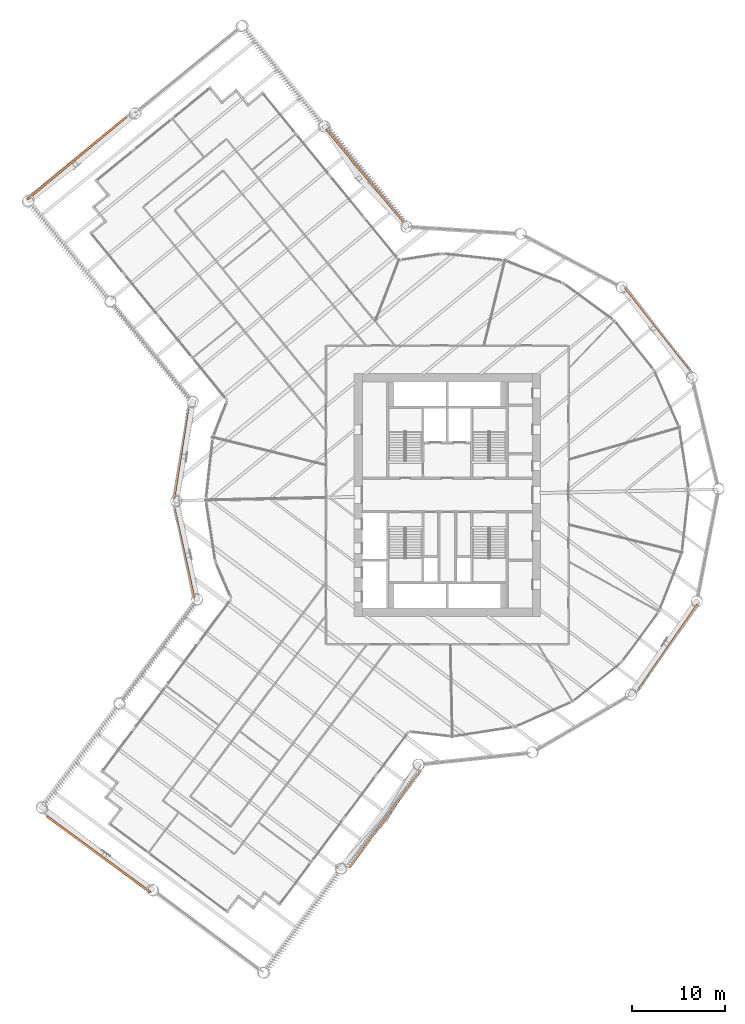
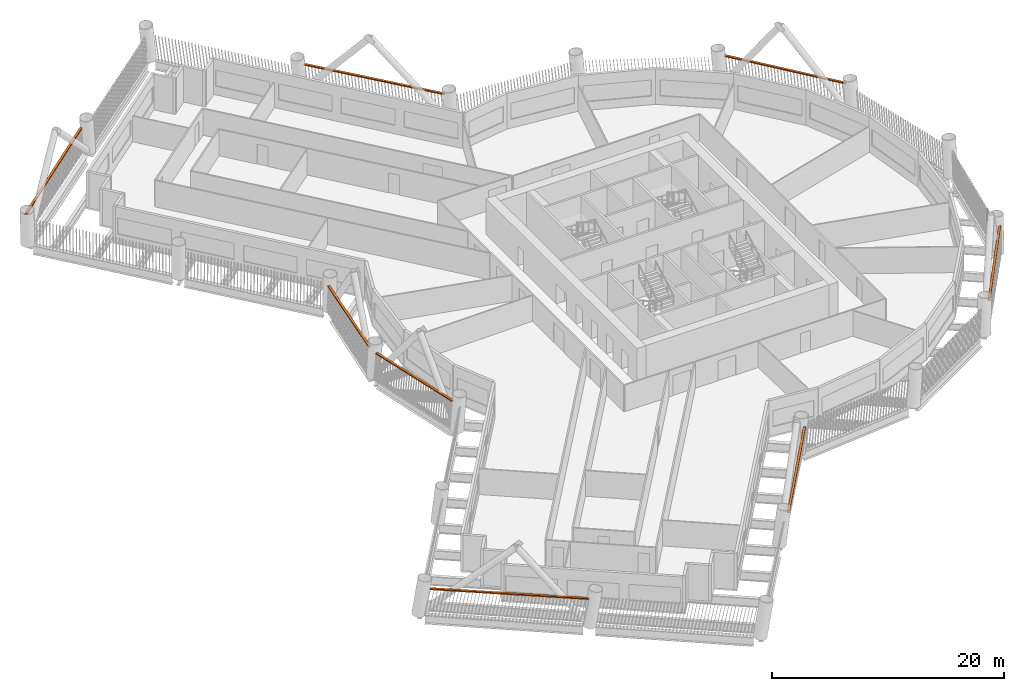
# One storey, part 22 of 22: 8 proxies.
"""IFC4 building model written with IfcOpenShell, lengths in metres."""

from ifc_helpers import new_model, si_unit, direction, frame, origin, origin_2d, place, context, subcontext, project, spatial, rectangle, extrude, material, type_object, element, save


model = new_model("IFC4")

# Units and contexts
model_context = context("Model", 3, precision=1e-05, world=origin(), true_north=direction((0.0, 1.0)))
body_context = subcontext(model_context, "Body", "Model", "MODEL_VIEW")
ifc_project = project(units=[si_unit("LENGTHUNIT", "METRE"), si_unit("AREAUNIT", "SQUARE_METRE"), si_unit("VOLUMEUNIT", "CUBIC_METRE"), si_unit("PLANEANGLEUNIT", "RADIAN"), si_unit("MASSUNIT", "GRAM", prefix="KILO")], contexts=[model_context])

# Site, building, storey
site_placement = place(None, origin())
site = spatial("IfcSite", under=ifc_project, at=site_placement, CompositionType="ELEMENT")
building_placement = place(site_placement, origin())
building = spatial("IfcBuilding", under=site, at=building_placement, Name="Tarsis Ring Headquarters", CompositionType="ELEMENT")
storey_placement = place(building_placement, frame((0.0, 0.0, 40.0)))
storey = spatial("IfcBuildingStorey", under=building, at=storey_placement, Name="L07", CompositionType="ELEMENT", Elevation=40.0)

# Proxies
ifc_material = material(Name="Structural steel S355", Category="steel")
building_element_proxy_type = type_object("IfcBuildingElementProxyType", Name="Screen bracket plate", PredefinedType="USERDEFINED", material=ifc_material)
proxy_1_placement = place(storey_placement, frame((-28.185791015625, -6.240966796875, 2.95263671875), z_axis=(0.0, 0.0, 1.0), x_axis=(0.216183740178, -0.976352697791, 0.0)))
element("IfcBuildingElementProxy", 1, at=proxy_1_placement, inside=storey, type_object=building_element_proxy_type, Name="Screen bracket L07-00", ObjectType="Bracket", PredefinedType="USERDEFINED", context=body_context, shape_type="SweptSolid", body=[
    extrude(rectangle(XDim=9.771728515625, YDim=0.222900390625, at=origin_2d()), origin(), (0.0, 0.0, 1.0), 0.1201171875),
])
proxy_2_placement = place(storey_placement, frame((-37.3466796875, -38.498046875, 2.95263671875), z_axis=(0.0, 0.0, 1.0), x_axis=(0.806960312144, -0.59060566762, 0.0)))
element("IfcBuildingElementProxy", 2, at=proxy_2_placement, inside=storey, type_object=building_element_proxy_type, Name="Screen bracket L07-03", ObjectType="Bracket", PredefinedType="USERDEFINED", context=body_context, shape_type="SweptSolid", body=[
    extrude(rectangle(XDim=13.800048828125, YDim=0.222900390625, at=origin_2d()), origin(), (0.0, 0.0, 1.0), 0.1201171875),
])
proxy_3_placement = place(storey_placement, frame((-6.663818359375, -34.711669921875, 2.95263671875), z_axis=(0.0, 0.0, 1.0), x_axis=(0.590605695788, 0.806960291528, 0.0)))
element("IfcBuildingElementProxy", 3, at=proxy_3_placement, inside=storey, type_object=building_element_proxy_type, Name="Screen bracket L07-06", ObjectType="Bracket", PredefinedType="USERDEFINED", context=body_context, shape_type="SweptSolid", body=[
    extrude(rectangle(XDim=12.90234375, YDim=0.222900390625, at=origin_2d()), origin(), (0.0, 0.0, 1.0), 0.1201171875),
])
for number, where, z_axis, x_axis, name in (
    (4, (23.607421875, -16.35498046875, 2.95263671875), (0.0, 0.0, 1.0), (0.569476692668, 0.822007479593, 0.0), "Screen bracket L07-09"),
    (5, (22.53369140625, 17.804931640625, 2.95263671875), (0.0, 0.0, 1.0), (-0.619967250895, 0.784627687389, 0.0), "Screen bracket L07-12"),
):
    element("IfcBuildingElementProxy", number, at=place(storey_placement, frame(where, z_axis=z_axis, x_axis=x_axis)), inside=storey, type_object=building_element_proxy_type, Name=name, ObjectType="Bracket", PredefinedType="USERDEFINED", context=body_context, shape_type="SweptSolid", body=[
        extrude(rectangle(XDim=11.248779296875, YDim=0.222900390625, at=origin_2d()), origin(), (0.0, 0.0, 1.0), 0.1201171875),
    ])
proxy_4_placement = place(storey_placement, frame((-8.830078125, 34.224853515625, 2.95263671875), z_axis=(0.0, 0.0, 1.0), x_axis=(-0.640109699485, 0.768283523594, 0.0)))
element("IfcBuildingElementProxy", 6, at=proxy_4_placement, inside=storey, type_object=building_element_proxy_type, Name="Screen bracket L07-15", ObjectType="Bracket", PredefinedType="USERDEFINED", context=body_context, shape_type="SweptSolid", body=[
    extrude(rectangle(XDim=12.90234375, YDim=0.222900390625, at=origin_2d()), origin(), (0.0, 0.0, 1.0), 0.1201171875),
])
proxy_5_placement = place(storey_placement, frame((-39.690185546875, 36.0771484375, 2.95263671875), z_axis=(0.0, 0.0, 1.0), x_axis=(-0.768283534766, -0.640109686076, 0.0)))
element("IfcBuildingElementProxy", 7, at=proxy_5_placement, inside=storey, type_object=building_element_proxy_type, Name="Screen bracket L07-18", ObjectType="Bracket", PredefinedType="USERDEFINED", context=body_context, shape_type="SweptSolid", body=[
    extrude(rectangle(XDim=13.800048828125, YDim=0.222900390625, at=origin_2d()), origin(), (0.0, 0.0, 1.0), 0.1201171875),
])
proxy_6_placement = place(storey_placement, frame((-28.52197265625, 4.458740234375, 2.95263671875), z_axis=(0.0, 0.0, 1.0), x_axis=(-0.154451406079, -0.988000386215, 0.0)))
element("IfcBuildingElementProxy", 8, at=proxy_6_placement, inside=storey, type_object=building_element_proxy_type, Name="Screen bracket L07-21", ObjectType="Bracket", PredefinedType="USERDEFINED", context=body_context, shape_type="SweptSolid", body=[
    extrude(rectangle(XDim=9.771728515625, YDim=0.222900390625, at=origin_2d()), origin(), (0.0, 0.0, 1.0), 0.1201171875),
])

save(model, "model.ifc")
